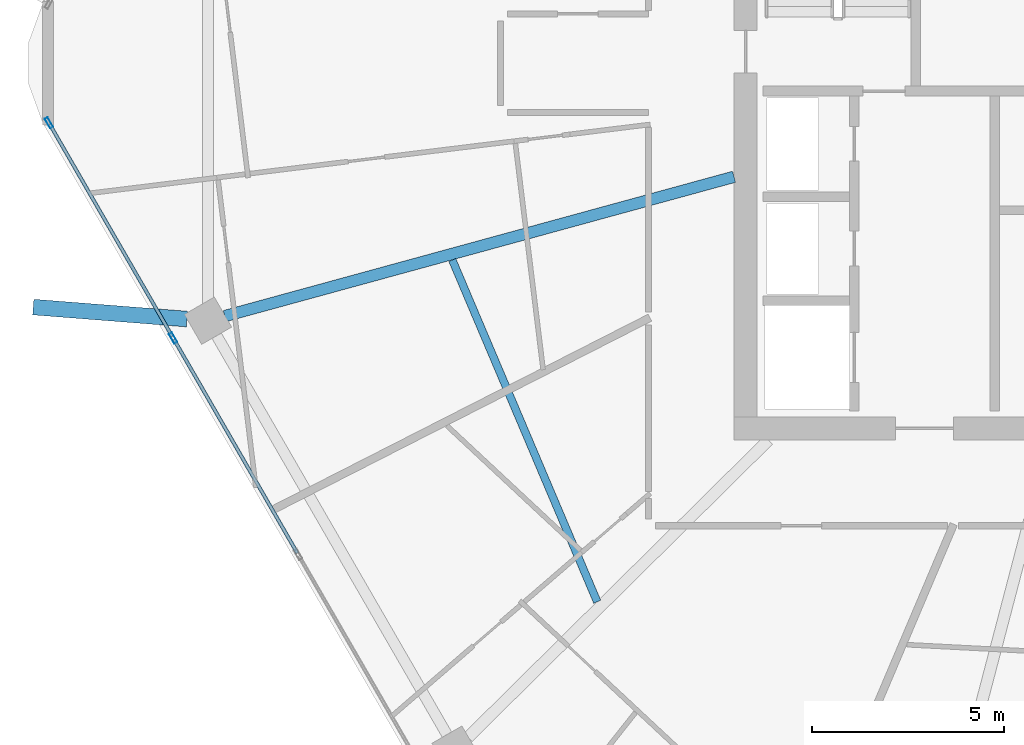
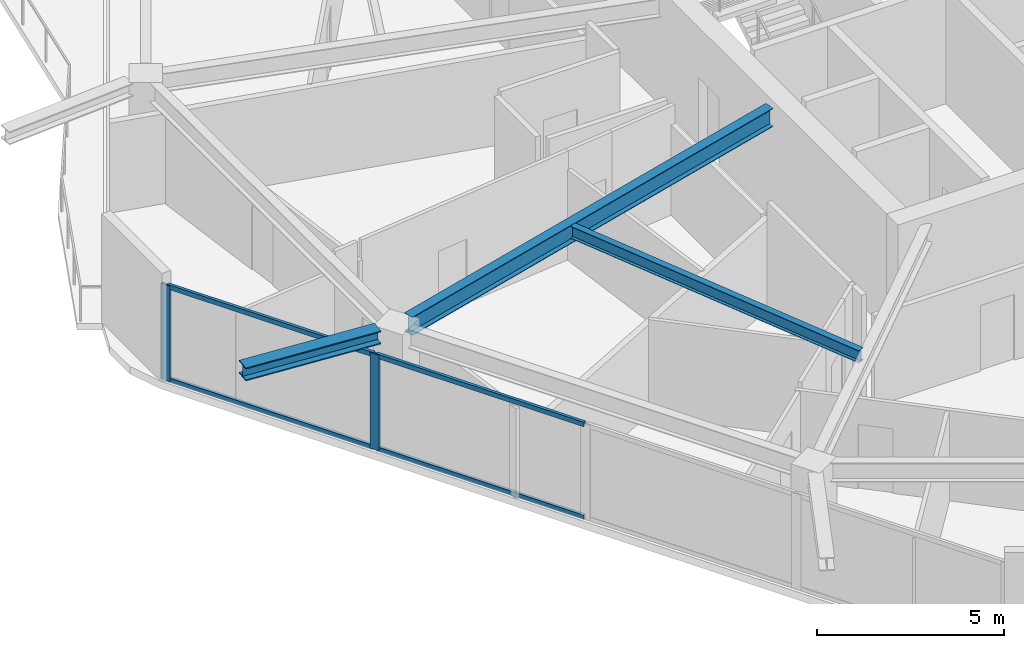
# One storey, part 5 of 25: 6 members, 3 beams, 1 element without a shape of its own.
"""IFC4 building model written with IfcOpenShell, lengths in metres."""

from ifc_helpers import new_model, si_unit, direction, frame, origin, origin_2d, place, context, subcontext, project, spatial, hollow_rectangle, i_section, extrude, material, material_profile, profile_set, type_object, element, aggregate, save


model = new_model("IFC4")

# Units and contexts
model_context = context("Model", 3, precision=1e-05, world=origin(), true_north=direction((0.0, 1.0)))
body_context = subcontext(model_context, "Body", "Model", "MODEL_VIEW")
ifc_project = project(units=[si_unit("LENGTHUNIT", "METRE"), si_unit("AREAUNIT", "SQUARE_METRE"), si_unit("VOLUMEUNIT", "CUBIC_METRE"), si_unit("PLANEANGLEUNIT", "RADIAN"), si_unit("MASSUNIT", "GRAM", prefix="KILO")], contexts=[model_context])

# Site, building, storey
site_placement = place(None, origin())
site = spatial("IfcSite", under=ifc_project, at=site_placement, CompositionType="ELEMENT")
building_placement = place(site_placement, origin())
building = spatial("IfcBuilding", under=site, at=building_placement, Name="Zuhravey Tower", CompositionType="ELEMENT")
storey_placement = place(building_placement, frame((0.0, 0.0, 257.800048828125)))
storey = spatial("IfcBuildingStorey", under=building, at=storey_placement, Name="L65", CompositionType="ELEMENT", Elevation=257.800048828125)

# Curtain wall, members
ifc_material_1 = material(Name="Thermally broken anodised aluminium", Category="aluminium")
curtain_wall_type = type_object("IfcCurtainWallType", Name="Zone 3-4 High-Rise Curtain Wall CW4", PredefinedType="NOTDEFINED", material=ifc_material_1)
curtain_wall_placement = place(storey_placement, origin())
curtain_wall = element("IfcCurtainWall", 1, at=curtain_wall_placement, inside=storey, type_object=curtain_wall_type, Name="L65 CW4 CW-L65-F4-1", PredefinedType="NOTDEFINED")
ifc_material_2 = material(Name="Anodised aluminium", Category="aluminium")
ifc_material_profile_1 = material_profile(ifc_material_2, hollow_rectangle(XDim=0.090087890625, YDim=0.284912109375, WallThickness=0.0048828125, at=origin_2d()), Name="ALU-RHS-90x285x5")
ifc_profile_set_1 = profile_set([ifc_material_profile_1], Name="Anodised aluminium")
member_type_1 = type_object("IfcMemberType", Name="Curtain-Wall Mullion 90x180", PredefinedType="MULLION", material=ifc_profile_set_1)
member_1_placement = place(storey_placement, frame((10.608154296875, 24.852783203125, 0.0), z_axis=(0.0, 0.0, 1.0), x_axis=(-0.866024851021, -0.500000957414, 0.0)))
member_1 = element("IfcMember", 2, at=member_1_placement, type_object=member_type_1, Name="CW4 mullion 4", PredefinedType="MULLION", context=body_context, shape_type="SweptSolid", body=[
    extrude(hollow_rectangle(XDim=0.090087890625, YDim=0.284912109375, WallThickness=0.0048828125, at=origin_2d()), origin(), (0.0, 0.0, 1.0), 3.1220703125),
])
member_2_placement = place(storey_placement, frame((7.37744140625, 30.448486328125, 0.0), z_axis=(0.0, 0.0, 1.0), x_axis=(-0.866024851021, -0.500000957414, 0.0)))
member_2 = element("IfcMember", 3, at=member_2_placement, type_object=member_type_1, Name="CW4 mullion 5", PredefinedType="MULLION", context=body_context, shape_type="SweptSolid", body=[
    extrude(hollow_rectangle(XDim=0.090087890625, YDim=0.284912109375, WallThickness=0.0048828125, at=origin_2d()), origin(), (0.0, 0.0, 1.0), 3.1220703125),
])
ifc_material_profile_2 = material_profile(ifc_material_2, hollow_rectangle(XDim=0.090087890625, YDim=0.14990234375, WallThickness=0.0048828125, at=origin_2d()), Name="ALU-RHS-90x150x5")
ifc_profile_set_2 = profile_set([ifc_material_profile_2], Name="Anodised aluminium")
member_type_2 = type_object("IfcMemberType", Name="Curtain-Wall Transom 90x150", PredefinedType="USERDEFINED", material=ifc_profile_set_2)
member_3_placement = place(storey_placement, frame((13.8388671875, 19.257080078125, 0.044921875), z_axis=(-0.499998017366, 0.866026548456, 0.0), x_axis=(-0.866026548456, -0.499998017366, 0.0)))
member_3 = element("IfcMember", 4, at=member_3_placement, type_object=member_type_2, Name="CW4 transom 3.1", ObjectType="TRANSOM", PredefinedType="USERDEFINED", context=body_context, shape_type="SweptSolid", body=[
    extrude(hollow_rectangle(XDim=0.090087890625, YDim=0.14990234375, WallThickness=0.0048828125, at=origin_2d()), origin(), (0.0, 0.0, 1.0), 6.41650390625),
])
member_4_placement = place(storey_placement, frame((13.8388671875, 19.257080078125, 3.076904296875), z_axis=(-0.499998017366, 0.866026548456, 0.0), x_axis=(-0.866026548456, -0.499998017366, 0.0)))
member_4 = element("IfcMember", 5, at=member_4_placement, type_object=member_type_2, Name="CW4 transom 3.2", ObjectType="TRANSOM", PredefinedType="USERDEFINED", context=body_context, shape_type="SweptSolid", body=[
    extrude(hollow_rectangle(XDim=0.090087890625, YDim=0.14990234375, WallThickness=0.0048828125, at=origin_2d()), origin(), (0.0, 0.0, 1.0), 6.41650390625),
])
member_5_placement = place(storey_placement, frame((10.585693359375, 24.891845703125, 0.044921875), z_axis=(-0.500008810174, 0.866020317169, 0.0), x_axis=(-0.866020317169, -0.500008810174, 0.0)))
member_5 = element("IfcMember", 6, at=member_5_placement, type_object=member_type_2, Name="CW4 transom 4.1", ObjectType="TRANSOM", PredefinedType="USERDEFINED", context=body_context, shape_type="SweptSolid", body=[
    extrude(hollow_rectangle(XDim=0.090087890625, YDim=0.14990234375, WallThickness=0.0048828125, at=origin_2d()), origin(), (0.0, 0.0, 1.0), 6.37158203125),
])
member_6_placement = place(storey_placement, frame((10.585693359375, 24.891845703125, 3.076904296875), z_axis=(-0.500008810174, 0.866020317169, 0.0), x_axis=(-0.866020317169, -0.500008810174, 0.0)))
member_6 = element("IfcMember", 7, at=member_6_placement, type_object=member_type_2, Name="CW4 transom 4.2", ObjectType="TRANSOM", PredefinedType="USERDEFINED", context=body_context, shape_type="SweptSolid", body=[
    extrude(hollow_rectangle(XDim=0.090087890625, YDim=0.14990234375, WallThickness=0.0048828125, at=origin_2d()), origin(), (0.0, 0.0, 1.0), 6.37158203125),
])
aggregate(curtain_wall, [member_1, member_2, member_3, member_4, member_5, member_6])

# Beams
ifc_material_3 = material(Name="Steel SM460", Category="steel")
ifc_material_profile_3 = material_profile(ifc_material_3, i_section(OverallWidth=0.406982421875, OverallDepth=0.427978515625, WebThickness=0.02001953125, FlangeThickness=0.034912109375, at=origin_2d()), Name="H-428x407x20x35")
ifc_profile_set_3 = profile_set([ifc_material_profile_3], Name="Steel SM460")
beam_type_1 = type_object("IfcBeamType", Name="Exoskeleton Node Tie Beam H428x407", PredefinedType="BEAM", material=ifc_profile_set_3)
beam_1_placement = place(storey_placement, frame((10.96728515625, 25.343994140625, 3.3359375), z_axis=(-0.996960589137, 0.077907533055, 0.0), x_axis=(-0.077907533055, -0.996960589137, 0.0)))
element("IfcBeam", 8, at=beam_1_placement, inside=storey, type_object=beam_type_1, Name="L65 Exoskeleton Node Tie NT1-07", PredefinedType="BEAM", context=body_context, shape_type="SweptSolid", body=[
    extrude(i_section(OverallWidth=0.406982421875, OverallDepth=0.427978515625, WebThickness=0.02001953125, FlangeThickness=0.034912109375, at=origin_2d()), origin(), (0.0, 0.0, 1.0), 4.008056640625),
])
ifc_material_4 = material(Name="Steel SM355", Category="steel")
ifc_material_profile_4 = material_profile(ifc_material_4, i_section(OverallWidth=0.300048828125, OverallDepth=0.60009765625, WebThickness=0.011962890625, FlangeThickness=0.02001953125, at=origin_2d()), Name="H-600x300x12x20")
ifc_profile_set_4 = profile_set([ifc_material_profile_4], Name="Steel SM355")
beam_type_2 = type_object("IfcBeamType", Name="Radial Primary Girder H600x300", PredefinedType="BEAM", material=ifc_profile_set_4)
beam_2_placement = place(storey_placement, frame((25.197021484375, 29.04443359375, 3.25), z_axis=(-0.964548913045, -0.26390413855, 0.0), x_axis=(0.26390413855, -0.964548913045, 0.0)))
element("IfcBeam", 9, at=beam_2_placement, inside=storey, type_object=beam_type_2, Name="L65 RG3 BM-L65-RAD-07", PredefinedType="BEAM", context=body_context, shape_type="SweptSolid", body=[
    extrude(i_section(OverallWidth=0.300048828125, OverallDepth=0.60009765625, WebThickness=0.011962890625, FlangeThickness=0.02001953125, at=origin_2d()), origin(), (0.0, 0.0, 1.0), 13.7314453125),
])
ifc_material_profile_5 = material_profile(ifc_material_4, i_section(OverallWidth=0.199951171875, OverallDepth=0.39990234375, WebThickness=0.008056640625, FlangeThickness=0.012939453125, at=origin_2d()), Name="H-400x200x8x13")
ifc_profile_set_5 = profile_set([ifc_material_profile_5], Name="Steel SM355")
beam_type_3 = type_object("IfcBeamType", Name="Secondary Floor Joist H400x200", PredefinedType="JOIST", material=ifc_profile_set_5)
beam_3_placement = place(storey_placement, frame((17.869140625, 26.881103515625, 3.349853515625), z_axis=(0.390413493754, -0.920639616731, 0.0), x_axis=(0.920639616731, 0.390413493754, 0.0)))
element("IfcBeam", 10, at=beam_3_placement, inside=storey, type_object=beam_type_3, Name="L65 SJ2 BM-L65-SJ-07-1", PredefinedType="JOIST", context=body_context, shape_type="SweptSolid", body=[
    extrude(i_section(OverallWidth=0.199951171875, OverallDepth=0.39990234375, WebThickness=0.008056640625, FlangeThickness=0.012939453125, at=origin_2d()), origin(), (0.0, 0.0, 1.0), 9.656494140625),
])

save(model, "model.ifc")
